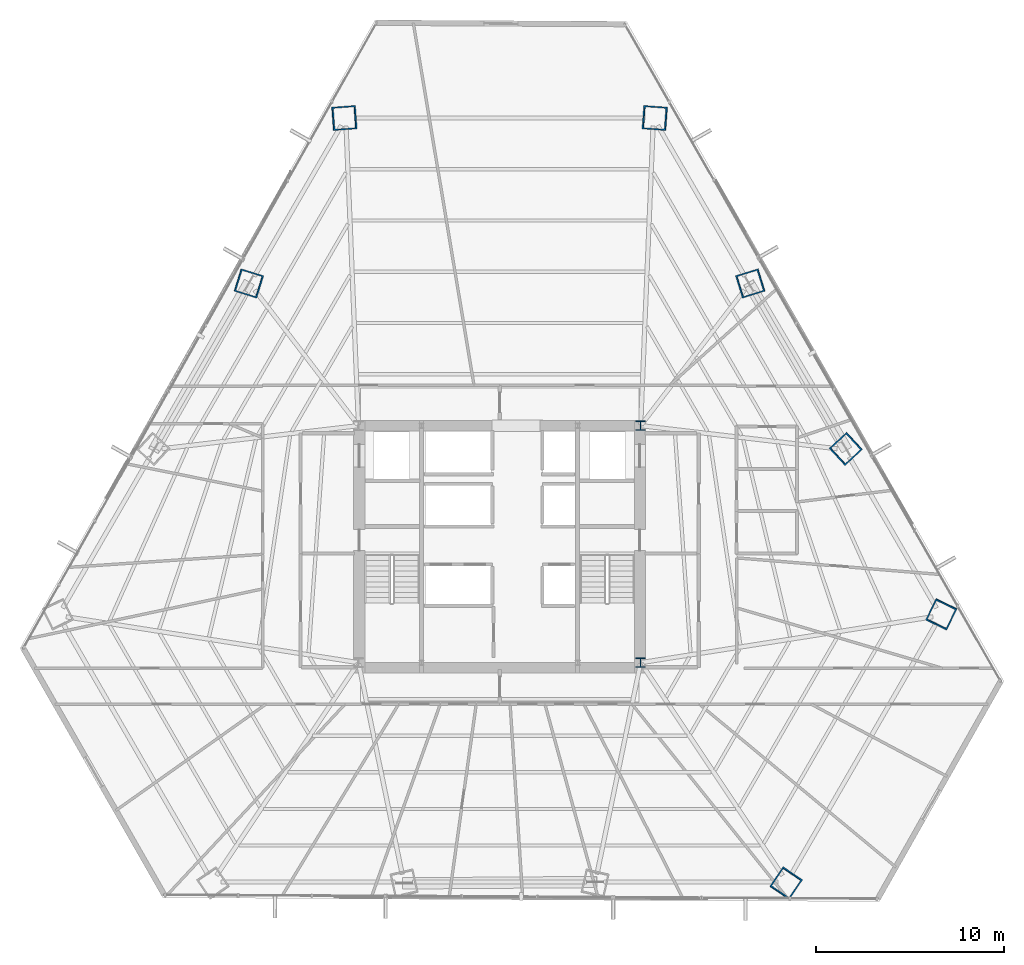
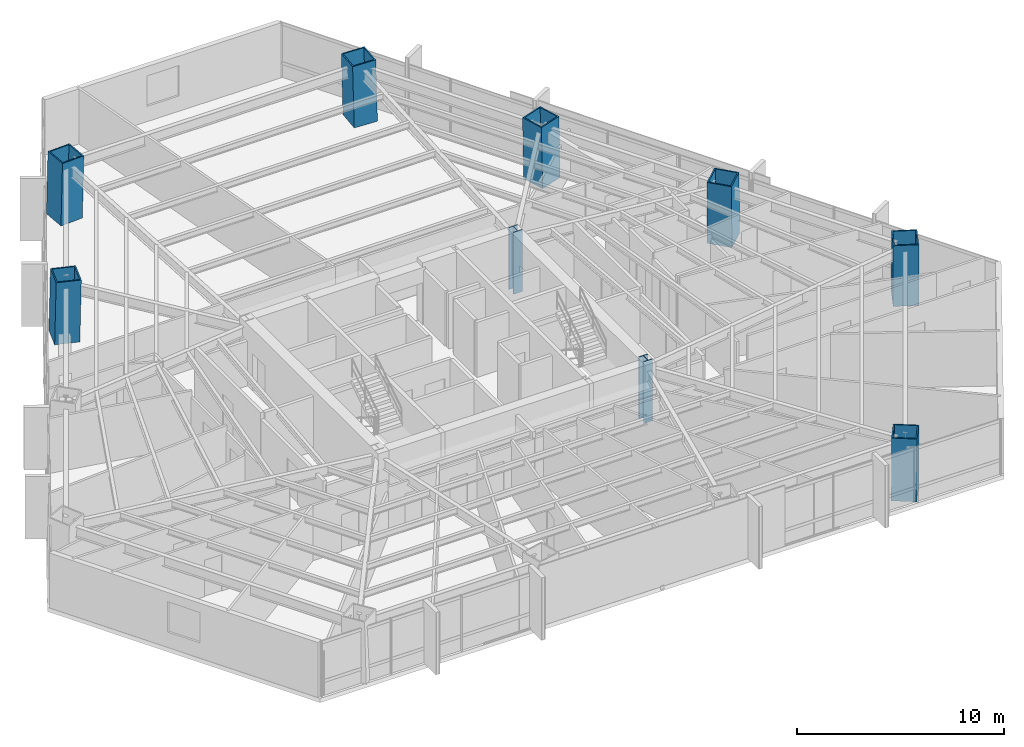
# One storey, part 3 of 39: 9 columns.
"""IFC4 building model written with IfcOpenShell, lengths in metres."""

from ifc_helpers import new_model, si_unit, direction, frame, origin, origin_2d, place, context, subcontext, project, spatial, hollow_rectangle, i_section, extrude, source, transform, mapped, material, material_profile, profile_set, type_object, type_shapes, element, save


model = new_model("IFC4")

# Units and contexts
model_context = context("Model", 3, precision=1e-05, world=origin(), true_north=direction((0.0, 1.0)))
body_context = subcontext(model_context, "Body", "Model", "MODEL_VIEW")
ifc_project = project(units=[si_unit("LENGTHUNIT", "METRE"), si_unit("AREAUNIT", "SQUARE_METRE"), si_unit("VOLUMEUNIT", "CUBIC_METRE"), si_unit("PLANEANGLEUNIT", "RADIAN"), si_unit("MASSUNIT", "GRAM", prefix="KILO")], contexts=[model_context])

# Site, building, storey
site_placement = place(None, origin())
site = spatial("IfcSite", under=ifc_project, at=site_placement, CompositionType="ELEMENT")
building_placement = place(site_placement, origin())
building = spatial("IfcBuilding", under=site, at=building_placement, Name="Caelisora Broadcast Tower", CompositionType="ELEMENT")
storey_placement = place(building_placement, frame((0.0, 0.0, 71.39990234375)))
storey = spatial("IfcBuildingStorey", under=building, at=storey_placement, Name="L18", CompositionType="ELEMENT", Elevation=71.39990234375)

# Columns
ifc_material_1 = material(Name="Steel Grade 350 L15 (AS/NZS 3678)", Category="steel")
ifc_material_profile_1 = material_profile(ifc_material_1, hollow_rectangle(XDim=1.25, YDim=1.25, WallThickness=0.070068359375, at=origin_2d()), Name="Steel Grade 350 L15 (AS/NZS 3678)")
ifc_profile_set_1 = profile_set([ifc_material_profile_1], Name="Steel Grade 350 L15 (AS/NZS 3678)")
column_type_1 = type_object("IfcColumnType", Name="MC02", PredefinedType="COLUMN", material=ifc_profile_set_1)
shared_shape_1 = source(origin(), body_context, "Body", "SweptSolid", [
    extrude(hollow_rectangle(XDim=1.25, YDim=1.25, WallThickness=0.070068359375, at=origin_2d()), origin(), (0.0, 0.0, 1.0), 3.65087890625),
])
for number, where, z_axis, x_axis, name in (
    (1, (24.66064453125, 37.560546875, 0.0), (0.01939269685, -0.00601842316, 0.999793829693), (0.296399214872, 0.955064136811, 0.0), "L18 column MC02"),
    (2, (56.413330078125, 28.77197265625, 0.0), (-0.014912316331, -0.013775502979, 0.999793907933), (0.678553674548, -0.734550822447, 0.0), "L18 column MC02"),
    (3, (51.33935546875, 37.560546875, 0.0), (-0.01939269685, -0.00601842316, 0.999793829693), (0.296399214872, -0.955064136811, 0.0), "L18 column MC02"),
):
    element("IfcColumn", number, at=place(storey_placement, frame(where, z_axis=z_axis, x_axis=x_axis)), inside=storey, type_object=column_type_1, Name=name, PredefinedType="COLUMN", context=body_context, shape_type="MappedRepresentation", body=[
        mapped(shared_shape_1, transform((0.0, 0.0, 0.0), scale=1.0)),
    ])
ifc_material_2 = material(Name="Steel Grade 350 (AS/NZS 3679.2)", Category="steel")
ifc_material_profile_2 = material_profile(ifc_material_2, i_section(OverallWidth=0.5, OverallDepth=0.5, WebThickness=0.028076171875, FlangeThickness=0.0400390625, at=origin_2d()), Name="Steel Grade 350 (AS/NZS 3679.2)")
ifc_profile_set_2 = profile_set([ifc_material_profile_2], Name="Steel Grade 350 (AS/NZS 3679.2)")
column_type_2 = type_object("IfcColumnType", Name="CC01", PredefinedType="COLUMN", material=ifc_profile_set_2)
shared_shape_2 = source(origin(), body_context, "Body", "SweptSolid", [
    extrude(i_section(OverallWidth=0.5, OverallDepth=0.5, WebThickness=0.028076171875, FlangeThickness=0.0400390625, at=origin_2d()), origin(), (0.0, 0.0, 1.0), 3.650146484375),
])
type_shapes(column_type_2, [shared_shape_2])
for number, where, z_axis, x_axis, name in (
    (4, (45.5, 17.39990234375, 0.0), (0.0, 0.0, 1.0), (1.0, 0.0, 0.0), "L18 column CC01"),
    (5, (45.5, 30.0, 0.0), (0.0, 0.0, 1.0), (1.0, 0.0, 0.0), "L18 column CC01"),
):
    element("IfcColumn", number, at=place(storey_placement, frame(where, z_axis=z_axis, x_axis=x_axis)), inside=storey, type_object=column_type_2, Name=name, PredefinedType="COLUMN", context=body_context, shape_type="MappedRepresentation", body=[
        mapped(shared_shape_2, transform((0.0, 0.0, 0.0), scale=1.0)),
    ])
shared_shape_3 = source(origin(), body_context, "Body", "SweptSolid", [
    extrude(hollow_rectangle(XDim=1.25, YDim=1.25, WallThickness=0.070068359375, at=origin_2d()), origin(), (0.0, 0.0, 1.0), 3.651123046875),
])
type_shapes(column_type_1, [shared_shape_1, shared_shape_3])
for number, where, z_axis, x_axis, name in (
    (6, (46.26513671875, 46.34912109375, 0.0), (-0.023871161178, 0.00173851594, 0.999713531581), (-0.07263675076, -0.997358462359, 0.0), "L18 column MC02"),
    (7, (29.73486328125, 46.34912109375, 0.0), (0.023871161178, 0.00173851594, 0.999713531581), (-0.07263675076, 0.997358462359, 0.0), "L18 column MC02"),
    (8, (53.222412109375, 5.66748046875, 0.0), (0.013440050965, 0.019859179784, 0.999712447661), (-0.828169210203, 0.560478152359, 0.0), "L18 column MC02"),
    (9, (61.487548828125, 19.9833984375, 0.0), (-0.010431083049, -0.021597691184, 0.999712324742), (0.900476348161, -0.434904985489, 0.0), "L18 column MC02"),
):
    element("IfcColumn", number, at=place(storey_placement, frame(where, z_axis=z_axis, x_axis=x_axis)), inside=storey, type_object=column_type_1, Name=name, PredefinedType="COLUMN", context=body_context, shape_type="MappedRepresentation", body=[
        mapped(shared_shape_3, transform((0.0, 0.0, 0.0), scale=1.0)),
    ])

save(model, "model.ifc")
